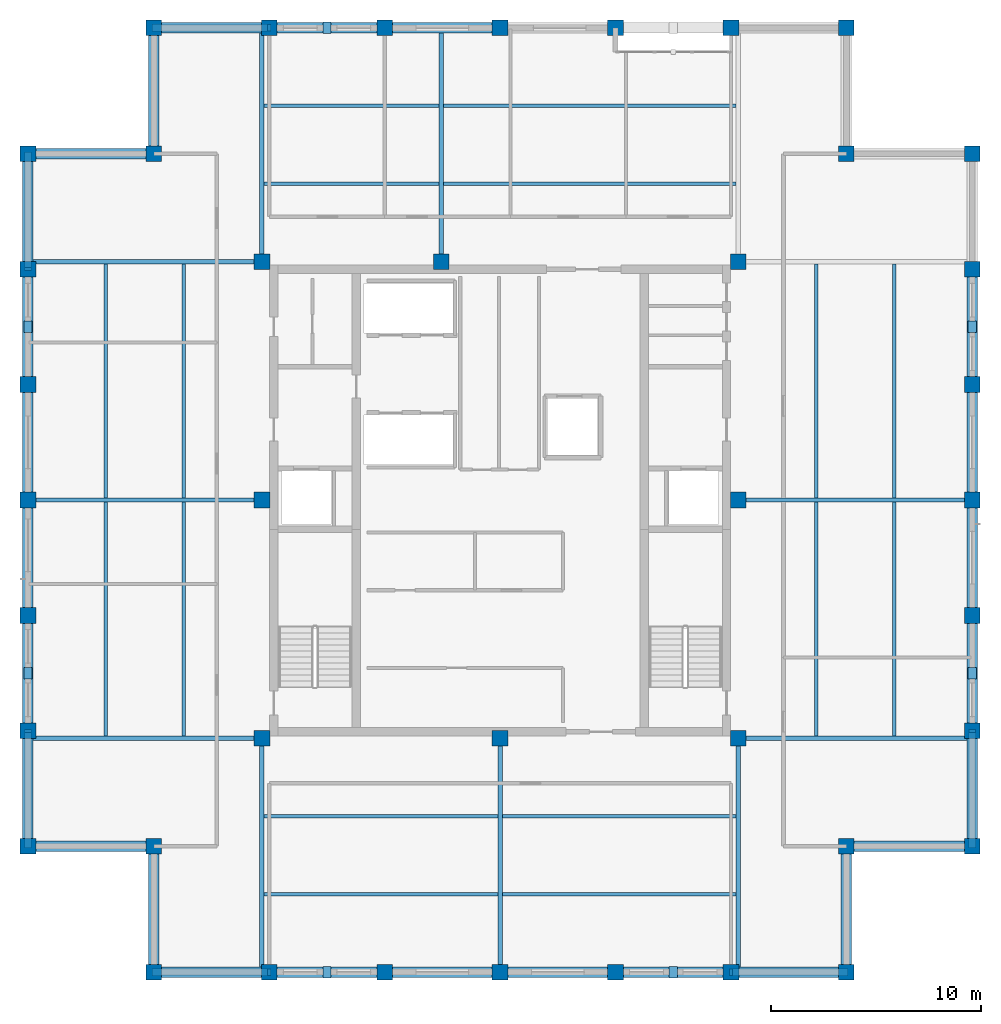
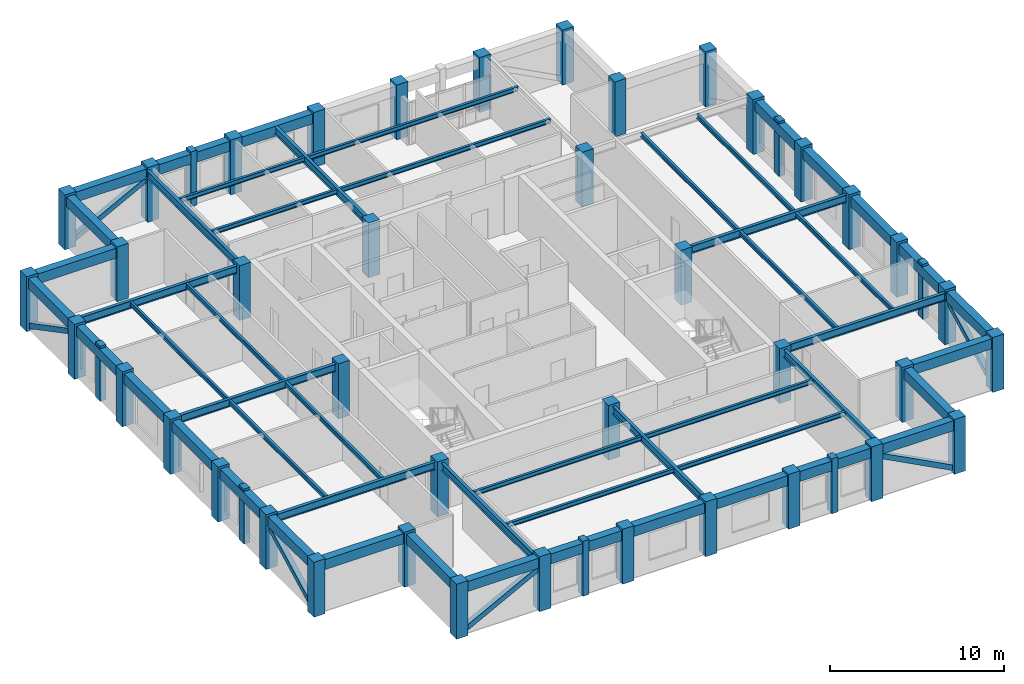
# One storey, part 1 of 10: 52 beams, 40 columns, 13 members.
"""IFC4 building model written with IfcOpenShell, lengths in metres."""

from ifc_helpers import new_model, si_unit, direction, frame, origin, origin_2d, place, context, subcontext, project, spatial, rectangle, hollow_rectangle, i_section, extrude, material, material_profile, profile_set, type_object, element, save


model = new_model("IFC4")

# Units and contexts
model_context = context("Model", 3, precision=1e-05, world=origin(), true_north=direction((0.0, 1.0)))
body_context = subcontext(model_context, "Body", "Model", "MODEL_VIEW")
ifc_project = project(units=[si_unit("LENGTHUNIT", "METRE"), si_unit("AREAUNIT", "SQUARE_METRE"), si_unit("VOLUMEUNIT", "CUBIC_METRE"), si_unit("PLANEANGLEUNIT", "RADIAN"), si_unit("MASSUNIT", "GRAM", prefix="KILO")], contexts=[model_context])

# Site, building, storey
site_placement = place(None, origin())
site = spatial("IfcSite", under=ifc_project, at=site_placement, CompositionType="ELEMENT")
building_placement = place(site_placement, origin())
building = spatial("IfcBuilding", under=site, at=building_placement, Name="Nhamokura Convention Tower", CompositionType="ELEMENT")
storey_placement = place(building_placement, frame((0.0, 0.0, 277.550048828125)))
storey = spatial("IfcBuildingStorey", under=building, at=storey_placement, Name="L68", CompositionType="ELEMENT", Elevation=277.550048828125)

# Columns
ifc_material_1 = material(Name="Concrete C50/60", Category="concrete")
ifc_material_profile_1 = material_profile(ifc_material_1, rectangle(XDim=0.75, YDim=0.75, at=origin_2d()))
ifc_profile_set_1 = profile_set([ifc_material_profile_1], Name="Concrete C50/60")
column_type = type_object("IfcColumnType", Name="TubeColumn_Z4_750", PredefinedType="COLUMN", material=ifc_profile_set_1)
for number, where, z_axis, x_axis, name in (
    (1, (20.64990234375, 20.64990234375, 0.0), (0.0, 0.0, 1.0), (1.0, 0.0, 0.0), "L68 Core Column CC-SW"),
    (2, (32.0, 20.64990234375, 0.0), (0.0, 0.0, 1.0), (1.0, 0.0, 0.0), "L68 Core Column CC-S"),
    (3, (43.35009765625, 20.64990234375, 0.0), (0.0, 0.0, 1.0), (1.0, 0.0, 0.0), "L68 Core Column CC-SE"),
    (4, (43.35009765625, 32.0, 0.0), (0.0, 0.0, 1.0), (1.0, 0.0, 0.0), "L68 Core Column CC-E"),
    (5, (43.35009765625, 43.35009765625, 0.0), (0.0, 0.0, 1.0), (1.0, 0.0, 0.0), "L68 Core Column CC-NE"),
    (6, (29.199951171875, 43.35009765625, 0.0), (0.0, 0.0, 1.0), (1.0, 0.0, 0.0), "L68 Core Column CC-N"),
    (7, (20.64990234375, 43.35009765625, 0.0), (0.0, 0.0, 1.0), (1.0, 0.0, 0.0), "L68 Core Column CC-NW"),
    (8, (20.64990234375, 32.0, 0.0), (0.0, 0.0, 1.0), (1.0, 0.0, 0.0), "L68 Core Column CC-W"),
    (9, (15.5, 9.5, 0.0), (0.0, 0.0, 1.0), (1.0, 0.0, 0.0), "L68 Perimeter Tube Column SW1"),
    (10, (15.5, 15.5, 0.0), (0.0, 0.0, 1.0), (1.0, 0.0, 0.0), "L68 Perimeter Tube Column SW0"),
    (11, (9.5, 15.5, 0.0), (0.0, 0.0, 1.0), (1.0, 0.0, 0.0), "L68 Perimeter Tube Column SW2"),
    (12, (48.5, 9.5, 0.0), (0.0, 0.0, 1.0), (1.0, 0.0, 0.0), "L68 Perimeter Tube Column SE1"),
    (13, (48.5, 15.5, 0.0), (0.0, 0.0, 1.0), (1.0, 0.0, 0.0), "L68 Perimeter Tube Column SE0"),
    (14, (54.5, 15.5, 0.0), (0.0, 0.0, 1.0), (1.0, 0.0, 0.0), "L68 Perimeter Tube Column SE2"),
    (15, (54.5, 48.5, 0.0), (0.0, 0.0, 1.0), (1.0, 0.0, 0.0), "L68 Perimeter Tube Column NE1"),
    (16, (48.5, 48.5, 0.0), (0.0, 0.0, 1.0), (1.0, 0.0, 0.0), "L68 Perimeter Tube Column NE0"),
    (17, (48.5, 54.5, 0.0), (0.0, 0.0, 1.0), (1.0, 0.0, 0.0), "L68 Perimeter Tube Column NE2"),
    (18, (15.5, 54.5, 0.0), (0.0, 0.0, 1.0), (1.0, 0.0, 0.0), "L68 Perimeter Tube Column NW1"),
    (19, (15.5, 48.5, 0.0), (0.0, 0.0, 1.0), (1.0, 0.0, 0.0), "L68 Perimeter Tube Column NW0"),
    (20, (9.5, 48.5, 0.0), (0.0, 0.0, 1.0), (1.0, 0.0, 0.0), "L68 Perimeter Tube Column NW2"),
    (21, (21.0, 9.5, 0.0), (0.0, 0.0, 1.0), (1.0, 0.0, 0.0), "L68 Perimeter Tube Column S1"),
    (22, (21.0, 54.5, 0.0), (0.0, 0.0, 1.0), (1.0, 0.0, 0.0), "L68 Perimeter Tube Column N1"),
    (23, (9.5, 21.0, 0.0), (0.0, 0.0, 1.0), (1.0, 0.0, 0.0), "L68 Perimeter Tube Column W1"),
    (24, (54.5, 21.0, 0.0), (0.0, 0.0, 1.0), (1.0, 0.0, 0.0), "L68 Perimeter Tube Column E1"),
    (25, (26.5, 9.5, 0.0), (0.0, 0.0, 1.0), (1.0, 0.0, 0.0), "L68 Perimeter Tube Column S2"),
    (26, (26.5, 54.5, 0.0), (0.0, 0.0, 1.0), (1.0, 0.0, 0.0), "L68 Perimeter Tube Column N2"),
    (27, (9.5, 26.5, 0.0), (0.0, 0.0, 1.0), (1.0, 0.0, 0.0), "L68 Perimeter Tube Column W2"),
    (28, (54.5, 26.5, 0.0), (0.0, 0.0, 1.0), (1.0, 0.0, 0.0), "L68 Perimeter Tube Column E2"),
    (29, (32.0, 9.5, 0.0), (0.0, 0.0, 1.0), (1.0, 0.0, 0.0), "L68 Perimeter Tube Column S3"),
    (30, (32.0, 54.5, 0.0), (0.0, 0.0, 1.0), (1.0, 0.0, 0.0), "L68 Perimeter Tube Column N3"),
    (31, (9.5, 32.0, 0.0), (0.0, 0.0, 1.0), (1.0, 0.0, 0.0), "L68 Perimeter Tube Column W3"),
    (32, (54.5, 32.0, 0.0), (0.0, 0.0, 1.0), (1.0, 0.0, 0.0), "L68 Perimeter Tube Column E3"),
    (33, (37.5, 9.5, 0.0), (0.0, 0.0, 1.0), (1.0, 0.0, 0.0), "L68 Perimeter Tube Column S4"),
    (34, (37.5, 54.5, 0.0), (0.0, 0.0, 1.0), (1.0, 0.0, 0.0), "L68 Perimeter Tube Column N4"),
    (35, (9.5, 37.5, 0.0), (0.0, 0.0, 1.0), (1.0, 0.0, 0.0), "L68 Perimeter Tube Column W4"),
    (36, (54.5, 37.5, 0.0), (0.0, 0.0, 1.0), (1.0, 0.0, 0.0), "L68 Perimeter Tube Column E4"),
    (37, (43.0, 9.5, 0.0), (0.0, 0.0, 1.0), (1.0, 0.0, 0.0), "L68 Perimeter Tube Column S5"),
    (38, (43.0, 54.5, 0.0), (0.0, 0.0, 1.0), (1.0, 0.0, 0.0), "L68 Perimeter Tube Column N5"),
    (39, (9.5, 43.0, 0.0), (0.0, 0.0, 1.0), (1.0, 0.0, 0.0), "L68 Perimeter Tube Column W5"),
    (40, (54.5, 43.0, 0.0), (0.0, 0.0, 1.0), (1.0, 0.0, 0.0), "L68 Perimeter Tube Column E5"),
):
    element("IfcColumn", number, at=place(storey_placement, frame(where, z_axis=z_axis, x_axis=x_axis)), inside=storey, type_object=column_type, Name=name, PredefinedType="COLUMN", context=body_context, shape_type="SweptSolid", body=[
        extrude(rectangle(XDim=0.75, YDim=0.75, at=origin_2d()), origin(), (0.0, 0.0, 1.0), 3.849853515625),
    ])

# Members
ifc_material_2 = material(Name="Bronze-pigmented precast concrete C45/55", Category="concrete")
ifc_material_profile_2 = material_profile(ifc_material_2, rectangle(XDim=0.39990234375, YDim=0.550048828125, at=origin_2d()))
ifc_profile_set_2 = profile_set([ifc_material_profile_2], Name="Bronze-pigmented precast concrete C45/55")
member_type_1 = type_object("IfcMemberType", Name="BronzePilaster_550", PredefinedType="USERDEFINED", material=ifc_profile_set_2)
for number, where, z_axis, x_axis, name in (
    (41, (23.75, 9.5, 0.0), (0.0, 0.0, 1.0), (1.0, 0.0, 0.0), "L68 Engaged Frame Pilaster SOUTH 1"),
    (42, (40.25, 9.5, 0.0), (0.0, 0.0, 1.0), (1.0, 0.0, 0.0), "L68 Engaged Frame Pilaster SOUTH 4"),
    (43, (23.75, 54.5, 0.0), (0.0, 0.0, 1.0), (1.0, 0.0, 0.0), "L68 Engaged Frame Pilaster NORTH 1"),
    (44, (9.5, 23.75, 0.0), (0.0, 0.0, 1.0), (1.0, 0.0, 0.0), "L68 Engaged Frame Pilaster WEST 1"),
    (45, (9.5, 40.25, 0.0), (0.0, 0.0, 1.0), (1.0, 0.0, 0.0), "L68 Engaged Frame Pilaster WEST 4"),
    (46, (54.5, 23.75, 0.0), (0.0, 0.0, 1.0), (1.0, 0.0, 0.0), "L68 Engaged Frame Pilaster EAST 1"),
    (47, (54.5, 40.25, 0.0), (0.0, 0.0, 1.0), (1.0, 0.0, 0.0), "L68 Engaged Frame Pilaster EAST 4"),
):
    element("IfcMember", number, at=place(storey_placement, frame(where, z_axis=z_axis, x_axis=x_axis)), inside=storey, type_object=member_type_1, Name=name, ObjectType="PILASTER_TRIM", PredefinedType="USERDEFINED", context=body_context, shape_type="SweptSolid", body=[
        extrude(rectangle(XDim=0.39990234375, YDim=0.550048828125, at=origin_2d()), origin(), (0.0, 0.0, 1.0), 3.849853515625),
    ])

# Beams
ifc_material_3 = material(Name="Steel ASTM A992 Gr 50", Category="steel")
ifc_material_profile_3 = material_profile(ifc_material_3, i_section(OverallWidth=0.166015625, OverallDepth=0.31298828125, WebThickness=0.006591796875, FlangeThickness=0.01123046875, at=origin_2d()))
ifc_profile_set_3 = profile_set([ifc_material_profile_3], Name="Steel ASTM A992 Gr 50")
beam_type_1 = type_object("IfcBeamType", Name="FloorJoist_W310X45", PredefinedType="JOIST", material=ifc_profile_set_3)
for number, where, z_axis, x_axis, name in (
    (48, (20.75244140625, 13.216796875, 3.528564453125), (1.0, 0.0, 0.0), (0.0, 1.0, 0.0), "L68 Composite Floor Joist S1A"),
    (49, (32.1025390625, 13.216796875, 3.528564453125), (1.0, 0.0, 0.0), (0.0, 1.0, 0.0), "L68 Composite Floor Joist S1B"),
    (50, (20.75244140625, 16.933349609375, 3.528564453125), (1.0, 0.0, 0.0), (0.0, 1.0, 0.0), "L68 Composite Floor Joist S2A"),
    (51, (32.1025390625, 16.933349609375, 3.528564453125), (1.0, 0.0, 0.0), (0.0, 1.0, 0.0), "L68 Composite Floor Joist S2B"),
):
    element("IfcBeam", number, at=place(storey_placement, frame(where, z_axis=z_axis, x_axis=x_axis)), inside=storey, type_object=beam_type_1, Name=name, PredefinedType="JOIST", context=body_context, shape_type="SweptSolid", body=[
        extrude(i_section(OverallWidth=0.166015625, OverallDepth=0.31298828125, WebThickness=0.006591796875, FlangeThickness=0.01123046875, at=origin_2d()), origin(), (0.0, 0.0, 1.0), 11.14501953125),
    ])
beam_1_placement = place(storey_placement, frame((20.75244140625, 47.066650390625, 3.528564453125), z_axis=(1.0, 0.0, 0.0), x_axis=(0.0, 1.0, 0.0)))
element("IfcBeam", 52, at=beam_1_placement, inside=storey, type_object=beam_type_1, Name="L68 Composite Floor Joist N1A", PredefinedType="JOIST", context=body_context, shape_type="SweptSolid", body=[
    extrude(i_section(OverallWidth=0.166015625, OverallDepth=0.31298828125, WebThickness=0.006591796875, FlangeThickness=0.01123046875, at=origin_2d()), origin(), (0.0, 0.0, 1.0), 8.344970703125),
])
beam_2_placement = place(storey_placement, frame((29.302490234375, 47.066650390625, 3.528564453125), z_axis=(1.0, 0.0, 0.0), x_axis=(0.0, 1.0, 0.0)))
element("IfcBeam", 53, at=beam_2_placement, inside=storey, type_object=beam_type_1, Name="L68 Composite Floor Joist N1B", PredefinedType="JOIST", context=body_context, shape_type="SweptSolid", body=[
    extrude(i_section(OverallWidth=0.166015625, OverallDepth=0.31298828125, WebThickness=0.006591796875, FlangeThickness=0.01123046875, at=origin_2d()), origin(), (0.0, 0.0, 1.0), 13.945068359375),
])
beam_3_placement = place(storey_placement, frame((20.75244140625, 50.783203125, 3.528564453125), z_axis=(1.0, 0.0, 0.0), x_axis=(0.0, 1.0, 0.0)))
element("IfcBeam", 54, at=beam_3_placement, inside=storey, type_object=beam_type_1, Name="L68 Composite Floor Joist N2A", PredefinedType="JOIST", context=body_context, shape_type="SweptSolid", body=[
    extrude(i_section(OverallWidth=0.166015625, OverallDepth=0.31298828125, WebThickness=0.006591796875, FlangeThickness=0.01123046875, at=origin_2d()), origin(), (0.0, 0.0, 1.0), 8.344970703125),
])
beam_4_placement = place(storey_placement, frame((29.302490234375, 50.783203125, 3.528564453125), z_axis=(1.0, 0.0, 0.0), x_axis=(0.0, 1.0, 0.0)))
element("IfcBeam", 55, at=beam_4_placement, inside=storey, type_object=beam_type_1, Name="L68 Composite Floor Joist N2B", PredefinedType="JOIST", context=body_context, shape_type="SweptSolid", body=[
    extrude(i_section(OverallWidth=0.166015625, OverallDepth=0.31298828125, WebThickness=0.006591796875, FlangeThickness=0.01123046875, at=origin_2d()), origin(), (0.0, 0.0, 1.0), 13.945068359375),
])
for number, where, z_axis, x_axis, name in (
    (56, (13.216796875, 20.75244140625, 3.528564453125), (0.0, 1.0, 0.0), (-1.0, 0.0, 0.0), "L68 Composite Floor Joist W1A"),
    (57, (13.216796875, 32.1025390625, 3.528564453125), (0.0, 1.0, 0.0), (-1.0, 0.0, 0.0), "L68 Composite Floor Joist W1B"),
    (58, (16.933349609375, 20.75244140625, 3.528564453125), (0.0, 1.0, 0.0), (-1.0, 0.0, 0.0), "L68 Composite Floor Joist W2A"),
    (59, (16.933349609375, 32.1025390625, 3.528564453125), (0.0, 1.0, 0.0), (-1.0, 0.0, 0.0), "L68 Composite Floor Joist W2B"),
    (60, (47.066650390625, 20.75244140625, 3.528564453125), (0.0, 1.0, 0.0), (-1.0, 0.0, 0.0), "L68 Composite Floor Joist E1A"),
    (61, (47.066650390625, 32.1025390625, 3.528564453125), (0.0, 1.0, 0.0), (-1.0, 0.0, 0.0), "L68 Composite Floor Joist E1B"),
    (62, (50.783203125, 20.75244140625, 3.528564453125), (0.0, 1.0, 0.0), (-1.0, 0.0, 0.0), "L68 Composite Floor Joist E2A"),
    (63, (50.783203125, 32.1025390625, 3.528564453125), (0.0, 1.0, 0.0), (-1.0, 0.0, 0.0), "L68 Composite Floor Joist E2B"),
):
    element("IfcBeam", number, at=place(storey_placement, frame(where, z_axis=z_axis, x_axis=x_axis)), inside=storey, type_object=beam_type_1, Name=name, PredefinedType="JOIST", context=body_context, shape_type="SweptSolid", body=[
        extrude(i_section(OverallWidth=0.166015625, OverallDepth=0.31298828125, WebThickness=0.006591796875, FlangeThickness=0.01123046875, at=origin_2d()), origin(), (0.0, 0.0, 1.0), 11.14501953125),
    ])
ifc_material_4 = material(Name="Steel ASTM A992 Gr 50", Category="steel")
ifc_material_profile_4 = material_profile(ifc_material_4, i_section(OverallWidth=0.208984375, OverallDepth=0.532958984375, WebThickness=0.01025390625, FlangeThickness=0.015625, at=origin_2d()))
ifc_profile_set_4 = profile_set([ifc_material_profile_4], Name="Steel ASTM A992 Gr 50")
beam_type_2 = type_object("IfcBeamType", Name="PrimaryGirder_W530X92", PredefinedType="BEAM", material=ifc_profile_set_4)
for number, where, z_axis, x_axis, name in (
    (64, (20.64990234375, 9.5, 3.41845703125), (0.0, 1.0, 0.0), (-1.0, 0.0, 0.0), "L68 Primary Floor Girder PG-S1"),
    (65, (32.0, 9.5, 3.41845703125), (0.0, 1.0, 0.0), (-1.0, 0.0, 0.0), "L68 Primary Floor Girder PG-S2"),
    (66, (43.35009765625, 9.5, 3.41845703125), (0.0, 1.0, 0.0), (-1.0, 0.0, 0.0), "L68 Primary Floor Girder PG-S3"),
    (67, (20.64990234375, 43.35009765625, 3.41845703125), (0.0, 1.0, 0.0), (-1.0, 0.0, 0.0), "L68 Primary Floor Girder PG-N1"),
    (68, (29.199951171875, 43.35009765625, 3.41845703125), (0.0, 1.0, 0.0), (-1.0, 0.0, 0.0), "L68 Primary Floor Girder PG-N2"),
    (69, (9.5, 20.64990234375, 3.41845703125), (1.0, 0.0, 0.0), (0.0, 1.0, 0.0), "L68 Primary Floor Girder PG-W1"),
    (70, (9.5, 32.0, 3.41845703125), (1.0, 0.0, 0.0), (0.0, 1.0, 0.0), "L68 Primary Floor Girder PG-W2"),
    (71, (9.5, 43.35009765625, 3.41845703125), (1.0, 0.0, 0.0), (0.0, 1.0, 0.0), "L68 Primary Floor Girder PG-W3"),
    (72, (43.35009765625, 20.64990234375, 3.41845703125), (1.0, 0.0, 0.0), (0.0, 1.0, 0.0), "L68 Primary Floor Girder PG-E1"),
    (73, (43.35009765625, 32.0, 3.41845703125), (1.0, 0.0, 0.0), (0.0, 1.0, 0.0), "L68 Primary Floor Girder PG-E2"),
):
    element("IfcBeam", number, at=place(storey_placement, frame(where, z_axis=z_axis, x_axis=x_axis)), inside=storey, type_object=beam_type_2, Name=name, PredefinedType="BEAM", context=body_context, shape_type="SweptSolid", body=[
        extrude(i_section(OverallWidth=0.208984375, OverallDepth=0.532958984375, WebThickness=0.01025390625, FlangeThickness=0.015625, at=origin_2d()), origin(), (0.0, 0.0, 1.0), 11.14990234375),
    ])

# Members
ifc_material_5 = material(Name="Steel ASTM A572 Gr 50", Category="steel")
ifc_material_profile_5 = material_profile(ifc_material_5, hollow_rectangle(XDim=0.35009765625, YDim=0.35009765625, WallThickness=0.01611328125, at=origin_2d()))
ifc_profile_set_5 = profile_set([ifc_material_profile_5], Name="Steel ASTM A572 Gr 50")
member_type_2 = type_object("IfcMemberType", Name="TubeBrace_HSS350", PredefinedType="BRACE", material=ifc_profile_set_5)
for number, where, z_axis, x_axis, name in (
    (74, (15.5, 9.5, 0.14990234375), (0.885562865764, 0.0, 0.464519548328), (0.0, 1.0, 0.0), "L68 Perimeter Tube Brace SOUTH Bay 0"),
    (75, (48.5, 9.5, 0.14990234375), (-0.885562865764, 0.0, 0.464519548328), (0.0, -1.0, 0.0), "L68 Perimeter Tube Brace SOUTH Bay 5"),
    (76, (15.5, 54.5, 0.14990234375), (0.885562865764, 0.0, 0.464519548328), (0.0, 1.0, 0.0), "L68 Perimeter Tube Brace NORTH Bay 0"),
    (77, (9.5, 15.5, 0.14990234375), (0.0, 0.885562865764, 0.464519548328), (-1.0, 0.0, 0.0), "L68 Perimeter Tube Brace WEST Bay 0"),
    (78, (9.5, 48.5, 0.14990234375), (0.0, -0.885562865764, 0.464519548328), (1.0, 0.0, 0.0), "L68 Perimeter Tube Brace WEST Bay 5"),
    (79, (54.5, 15.5, 0.14990234375), (0.0, 0.885562865764, 0.464519548328), (-1.0, 0.0, 0.0), "L68 Perimeter Tube Brace EAST Bay 0"),
):
    element("IfcMember", number, at=place(storey_placement, frame(where, z_axis=z_axis, x_axis=x_axis)), inside=storey, type_object=member_type_2, Name=name, PredefinedType="BRACE", context=body_context, shape_type="SweptSolid", body=[
        extrude(hollow_rectangle(XDim=0.35009765625, YDim=0.35009765625, WallThickness=0.01611328125, at=origin_2d()), origin(), (0.0, 0.0, 1.0), 6.210693359375),
    ])

# Beams
ifc_material_6 = material(Name="Concrete C50/60", Category="concrete")
ifc_material_profile_6 = material_profile(ifc_material_6, rectangle(XDim=0.5, YDim=0.699951171875, at=origin_2d()))
ifc_profile_set_6 = profile_set([ifc_material_profile_6], Name="Concrete C50/60")
beam_type_3 = type_object("IfcBeamType", Name="TubeSpandrel_700", PredefinedType="SPANDREL", material=ifc_profile_set_6)
for number, where, z_axis, x_axis, name in (
    (80, (15.5, 9.5, 3.3349609375), (1.0, 0.0, 0.0), (0.0, 1.0, 0.0), "L68 Perimeter Spandrel SOUTH 1"),
    (81, (21.0, 9.5, 3.3349609375), (1.0, 0.0, 0.0), (0.0, 1.0, 0.0), "L68 Perimeter Spandrel SOUTH 2"),
    (82, (26.5, 9.5, 3.3349609375), (1.0, 0.0, 0.0), (0.0, 1.0, 0.0), "L68 Perimeter Spandrel SOUTH 3"),
    (83, (32.0, 9.5, 3.3349609375), (1.0, 0.0, 0.0), (0.0, 1.0, 0.0), "L68 Perimeter Spandrel SOUTH 4"),
    (84, (37.5, 9.5, 3.3349609375), (1.0, 0.0, 0.0), (0.0, 1.0, 0.0), "L68 Perimeter Spandrel SOUTH 5"),
    (85, (43.0, 9.5, 3.3349609375), (1.0, 0.0, 0.0), (0.0, 1.0, 0.0), "L68 Perimeter Spandrel SOUTH 6"),
    (86, (15.5, 54.5, 3.3349609375), (1.0, 0.0, 0.0), (0.0, 1.0, 0.0), "L68 Perimeter Spandrel NORTH 1"),
    (87, (21.0, 54.5, 3.3349609375), (1.0, 0.0, 0.0), (0.0, 1.0, 0.0), "L68 Perimeter Spandrel NORTH 2"),
    (88, (26.5, 54.5, 3.3349609375), (1.0, 0.0, 0.0), (0.0, 1.0, 0.0), "L68 Perimeter Spandrel NORTH 3"),
    (89, (9.5, 15.5, 3.3349609375), (0.0, 1.0, 0.0), (-1.0, 0.0, 0.0), "L68 Perimeter Spandrel WEST 1"),
    (90, (9.5, 21.0, 3.3349609375), (0.0, 1.0, 0.0), (-1.0, 0.0, 0.0), "L68 Perimeter Spandrel WEST 2"),
    (91, (9.5, 26.5, 3.3349609375), (0.0, 1.0, 0.0), (-1.0, 0.0, 0.0), "L68 Perimeter Spandrel WEST 3"),
    (92, (9.5, 32.0, 3.3349609375), (0.0, 1.0, 0.0), (-1.0, 0.0, 0.0), "L68 Perimeter Spandrel WEST 4"),
    (93, (9.5, 37.5, 3.3349609375), (0.0, 1.0, 0.0), (-1.0, 0.0, 0.0), "L68 Perimeter Spandrel WEST 5"),
    (94, (9.5, 43.0, 3.3349609375), (0.0, 1.0, 0.0), (-1.0, 0.0, 0.0), "L68 Perimeter Spandrel WEST 6"),
    (95, (54.5, 15.5, 3.3349609375), (0.0, 1.0, 0.0), (-1.0, 0.0, 0.0), "L68 Perimeter Spandrel EAST 1"),
    (96, (54.5, 21.0, 3.3349609375), (0.0, 1.0, 0.0), (-1.0, 0.0, 0.0), "L68 Perimeter Spandrel EAST 2"),
    (97, (54.5, 26.5, 3.3349609375), (0.0, 1.0, 0.0), (-1.0, 0.0, 0.0), "L68 Perimeter Spandrel EAST 3"),
    (98, (54.5, 32.0, 3.3349609375), (0.0, 1.0, 0.0), (-1.0, 0.0, 0.0), "L68 Perimeter Spandrel EAST 4"),
    (99, (54.5, 37.5, 3.3349609375), (0.0, 1.0, 0.0), (-1.0, 0.0, 0.0), "L68 Perimeter Spandrel EAST 5"),
):
    element("IfcBeam", number, at=place(storey_placement, frame(where, z_axis=z_axis, x_axis=x_axis)), inside=storey, type_object=beam_type_3, Name=name, PredefinedType="SPANDREL", context=body_context, shape_type="SweptSolid", body=[
        extrude(rectangle(XDim=0.5, YDim=0.699951171875, at=origin_2d()), origin(), (0.0, 0.0, 1.0), 5.5),
    ])
for number, where, z_axis, x_axis, name in (
    (100, (15.5, 9.5, 3.3349609375), (0.0, 1.0, 0.0), (-1.0, 0.0, 0.0), "L68 Notch Spandrel SW1"),
    (101, (15.5, 15.5, 3.3349609375), (-1.0, 0.0, 0.0), (0.0, -1.0, 0.0), "L68 Notch Spandrel SW2"),
    (102, (48.5, 9.5, 3.3349609375), (0.0, 1.0, 0.0), (-1.0, 0.0, 0.0), "L68 Notch Spandrel SE1"),
    (103, (48.5, 15.5, 3.3349609375), (1.0, 0.0, 0.0), (0.0, 1.0, 0.0), "L68 Notch Spandrel SE2"),
    (104, (15.5, 54.5, 3.3349609375), (0.0, -1.0, 0.0), (1.0, 0.0, 0.0), "L68 Notch Spandrel NW1"),
    (105, (15.5, 48.5, 3.3349609375), (-1.0, 0.0, 0.0), (0.0, -1.0, 0.0), "L68 Notch Spandrel NW2"),
):
    element("IfcBeam", number, at=place(storey_placement, frame(where, z_axis=z_axis, x_axis=x_axis)), inside=storey, type_object=beam_type_3, Name=name, PredefinedType="SPANDREL", context=body_context, shape_type="SweptSolid", body=[
        extrude(rectangle(XDim=0.5, YDim=0.699951171875, at=origin_2d()), origin(), (0.0, 0.0, 1.0), 6.0),
    ])

save(model, "model.ifc")
